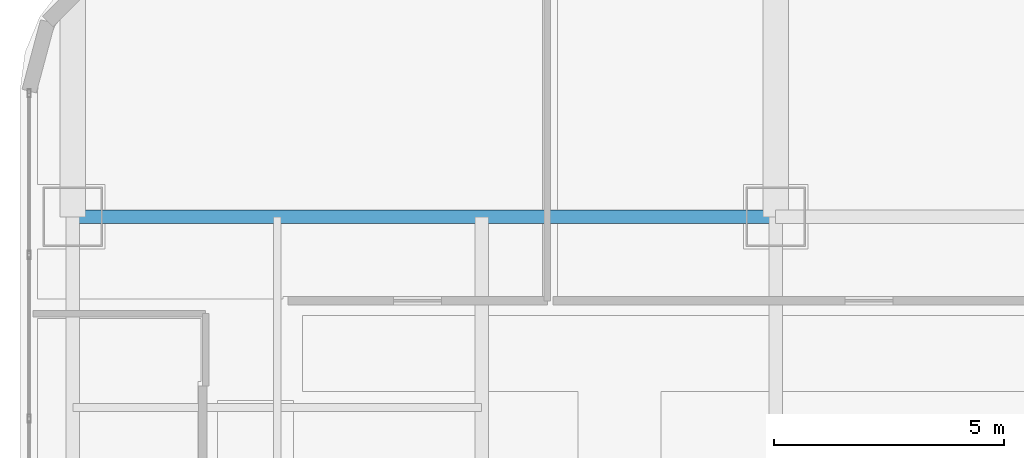
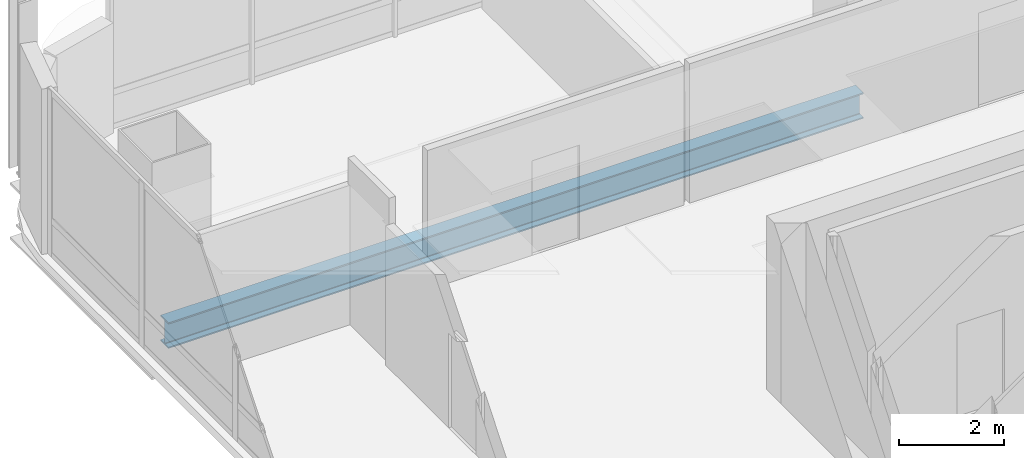
# One storey, part 21 of 44: 1 beam.
"""IFC4 building model written with IfcOpenShell, lengths in metres."""

import ifcopenshell
import ifcopenshell.guid

model = None  # the IFC model being written
_history = None  # IfcOwnerHistory: only IFC2X3 demands one
_inside = {}  # id of a spatial element -> (the spatial element, [elements in it])
_under = {}  # id of a project, library or spatial element -> (it, [spatial elements below it])
_declared = {}  # id of a project -> (the project, [libraries it declares])
_typed = {}  # id of a type object -> (the type object, [elements of that type])
_made_of = {}  # id of a material, layer set ... -> (it, [elements and type objects made of it])


def new_model(schema):
    """Start an empty IFC model of exactly this schema.

    Asked for "IFC4X3", IfcOpenShell would pick the latest addendum, in which some entities
    have other attributes; the version numbers below select the first issue.
    IFC2X3 requires an IfcOwnerHistory on every rooted entity: one is made here for all.
    """
    global model, _history
    if schema == "IFC4X3":
        model = ifcopenshell.file(schema_version=(4, 3, 0, 0))
    else:
        model = ifcopenshell.file(schema=schema)
    _inside.clear()
    _under.clear()
    _declared.clear()
    _typed.clear()
    _made_of.clear()
    _history = None
    if model.schema == "IFC2X3":
        org = make("IfcOrganization", Name="unknown")
        user = make(
            "IfcPersonAndOrganization",
            ThePerson=make("IfcPerson", FamilyName="unknown"),
            TheOrganization=org,
        )
        app = make(
            "IfcApplication",
            ApplicationDeveloper=org,
            Version="unknown",
            ApplicationFullName="unknown",
            ApplicationIdentifier="unknown",
        )
        _history = make(
            "IfcOwnerHistory",
            OwningUser=user,
            OwningApplication=app,
            ChangeAction="ADDED",
            CreationDate=0,
        )
    return model


def make(cls, **values):
    """One entity of the class cls with the attributes given. An attribute that is None is left unset."""
    return model.create_entity(
        cls, **{name: value for name, value in values.items() if value is not None}
    )


def rooted(cls, **values):
    """An entity with a GlobalId (a new one), such as an element, a storey or a relation."""
    return make(cls, GlobalId=ifcopenshell.guid.new(), OwnerHistory=_history, **values)


def si_unit(unit_type, name, prefix=None):
    """IfcSIUnit, for example si_unit("LENGTHUNIT", "METRE", prefix="MILLI")."""
    return make("IfcSIUnit", UnitType=unit_type, Prefix=prefix, Name=name)


def assignment(units):
    """IfcUnitAssignment: the units of a project."""
    return None if units is None else make("IfcUnitAssignment", Units=units)


def point(xyz):
    """IfcCartesianPoint."""
    return None if xyz is None else make("IfcCartesianPoint", Coordinates=xyz)


def direction(xyz):
    """IfcDirection."""
    return None if xyz is None else make("IfcDirection", DirectionRatios=xyz)


def frame(location, z_axis=None, x_axis=None):
    """IfcAxis2Placement3D, a coordinate frame: its origin and axes. An axis left out is left unset."""
    return make(
        "IfcAxis2Placement3D",
        Location=point(location),
        Axis=direction(z_axis),
        RefDirection=direction(x_axis),
    )


def frame_2d(location, x_axis=None):
    """IfcAxis2Placement2D, a coordinate frame in the plane: its origin and x axis."""
    return make(
        "IfcAxis2Placement2D", Location=point(location), RefDirection=direction(x_axis)
    )


def origin():
    """The frame at (0, 0, 0) with its axes left unset."""
    return frame((0.0, 0.0, 0.0))


def origin_2d():
    """The frame at (0, 0) in the plane with its x axis left unset."""
    return frame_2d((0.0, 0.0))


def place(relative_to, where):
    """IfcLocalPlacement: puts the frame where relative to a parent placement (None: the world)."""
    return make(
        "IfcLocalPlacement", PlacementRelTo=relative_to, RelativePlacement=where
    )


def context(
    kind, dimensions, precision=None, world=None, true_north=None, identifier=None
):
    """IfcGeometricRepresentationContext, for example the 3D "Model" context."""
    return make(
        "IfcGeometricRepresentationContext",
        ContextIdentifier=identifier,
        ContextType=kind,
        CoordinateSpaceDimension=dimensions,
        Precision=precision,
        WorldCoordinateSystem=world,
        TrueNorth=true_north,
    )


def subcontext(parent, identifier, kind, view, scale=None):
    """IfcGeometricRepresentationSubContext, for example "Body" below "Model"."""
    return make(
        "IfcGeometricRepresentationSubContext",
        ContextIdentifier=identifier,
        ContextType=kind,
        ParentContext=parent,
        TargetScale=scale,
        TargetView=view,
    )


def project(units=None, contexts=None):
    """IfcProject with its units and contexts."""
    return rooted(
        "IfcProject",
        Name="project",
        RepresentationContexts=contexts,
        UnitsInContext=assignment(units),
    )


def spatial(cls, under=None, at=None, **own):
    """A site, building, storey or space (cls), placed at a placement, below another one or the project."""
    s = rooted(cls, ObjectPlacement=at, **own)
    if under is not None:
        _under.setdefault(under.id(), (under, []))[1].append(s)
    return s


def profile(cls, at=None, kind="AREA", **sizes):
    """A parametric profile (cls). Its sizes go by their IFC names, for example OverallWidth=200.0."""
    return make(cls, ProfileType=kind, Position=at, **sizes)


def i_section(**sizes):
    """IfcIShapeProfileDef."""
    return profile("IfcIShapeProfileDef", **sizes)


def extrude(swept, where, along, depth):
    """IfcExtrudedAreaSolid: the profile swept, set in the frame where, extruded along a direction by depth."""
    return make(
        "IfcExtrudedAreaSolid",
        SweptArea=swept,
        Position=where,
        ExtrudedDirection=direction(along),
        Depth=depth,
    )


def shape(context_of_items, identifier, shape_type, items):
    """IfcShapeRepresentation: the items that make up one representation, for example the "Body"."""
    return make(
        "IfcShapeRepresentation",
        ContextOfItems=context_of_items,
        RepresentationIdentifier=identifier,
        RepresentationType=shape_type,
        Items=items,
    )


def material(Name=None, Category=None):
    """IfcMaterial."""
    return make("IfcMaterial", Name=Name, Category=Category)


def material_profile(
    of_material, cross_section, Name=None, Category=None, Priority=None
):
    """IfcMaterialProfile: a cross section and its material."""
    return make(
        "IfcMaterialProfile",
        Name=Name,
        Material=of_material,
        Profile=cross_section,
        Priority=Priority,
        Category=Category,
    )


def profile_set(profiles, Name=None, composite=None):
    """IfcMaterialProfileSet."""
    return make(
        "IfcMaterialProfileSet",
        Name=Name,
        MaterialProfiles=profiles,
        CompositeProfile=composite,
    )


def made_of(thing, what):
    """Note that an element or type object is made of a material, layer set ...; save() writes the relation."""
    if what is not None:
        _made_of.setdefault(what.id(), (what, []))[1].append(thing)
    return thing


def type_object(cls, material=None, **own):
    """A type object (cls), such as IfcWallType, which elements share."""
    return made_of(rooted(cls, **own), material)


def element(
    cls,
    number,
    at=None,
    inside=None,
    cuts=None,
    type_object=None,
    material=None,
    context=None,
    identifier="Body",
    shape_type=None,
    held_by="IfcProductDefinitionShape",
    body=None,
    shapes=None,
    **own,
):
    """One element of the class cls, such as IfcWall. Its Tag is "e" and its number.

    at: its placement. inside: the storey or other place that contains it. cuts: it is an
    opening in that element (IfcRelVoidsElement). A single representation is given by context,
    identifier, shape_type and body (its items); several are given by shapes. held_by: the class
    of the entity that holds the representations. save() writes the other relations.
    """
    e = rooted(cls, Tag="e%d" % number, ObjectPlacement=at, **own)
    if body is not None:
        shapes = [shape(context, identifier, shape_type, body)]
    if shapes is not None:
        e.Representation = make(held_by, Representations=shapes)
    if inside is not None:
        _inside.setdefault(inside.id(), (inside, []))[1].append(e)
    if cuts is not None:
        rooted(
            "IfcRelVoidsElement", RelatingBuildingElement=cuts, RelatedOpeningElement=e
        )
    if type_object is not None:
        _typed.setdefault(type_object.id(), (type_object, []))[1].append(e)
    return made_of(e, material)


def aggregate(whole, parts):
    """IfcRelAggregates: a whole, such as a stair, and the parts it consists of."""
    return rooted("IfcRelAggregates", RelatingObject=whole, RelatedObjects=parts)


def save(model, path):
    """Write the relations noted so far, then the file.

    IfcRelAggregates (storeys below a building ...), IfcRelContainedInSpatialStructure (elements
    in a storey), IfcRelDefinesByType, IfcRelAssociatesMaterial and IfcRelDeclares: one each for
    every whole, place, type object, material and project.
    """
    for whole, parts in _under.values():
        aggregate(whole, parts)
    for where, things in _inside.values():
        rooted(
            "IfcRelContainedInSpatialStructure",
            RelatedElements=things,
            RelatingStructure=where,
        )
    for kind, things in _typed.values():
        rooted("IfcRelDefinesByType", RelatedObjects=things, RelatingType=kind)
    for what, things in _made_of.values():
        rooted("IfcRelAssociatesMaterial", RelatedObjects=things, RelatingMaterial=what)
    for by, libraries in _declared.values():
        rooted("IfcRelDeclares", RelatingContext=by, RelatedDefinitions=libraries)
    model.write(path)


model = new_model("IFC4")

# Units and contexts
model_context = context("Model", 3, precision=1e-05, world=origin(), true_north=direction((0.0, 1.0)))
body_context = subcontext(model_context, "Body", "Model", "MODEL_VIEW")
ifc_project = project(units=[si_unit("LENGTHUNIT", "METRE"), si_unit("AREAUNIT", "SQUARE_METRE"), si_unit("VOLUMEUNIT", "CUBIC_METRE"), si_unit("PLANEANGLEUNIT", "RADIAN"), si_unit("MASSUNIT", "GRAM", prefix="KILO")], contexts=[model_context])

# Site, building, storey
site_placement = place(None, origin())
site = spatial("IfcSite", under=ifc_project, at=site_placement, CompositionType="ELEMENT")
building_placement = place(site_placement, origin())
building = spatial("IfcBuilding", under=site, at=building_placement, Name="Punatoya Terracotta Tower", CompositionType="ELEMENT")
storey_placement = place(building_placement, frame((0.0, 0.0, 267.60009765625)))
storey = spatial("IfcBuildingStorey", under=building, at=storey_placement, Name="L63", CompositionType="ELEMENT", Elevation=267.60009765625)

# Beam
ifc_material = material(Name="Steel S355", Category="steel")
ifc_material_profile = material_profile(ifc_material, i_section(OverallWidth=0.300048828125, OverallDepth=0.60009765625, WebThickness=0.015380859375, FlangeThickness=0.030029296875, FilletRadius=0.01806640625, at=origin_2d()))
ifc_profile_set = profile_set([ifc_material_profile], Name="Steel S355")
beam_type = type_object("IfcBeamType", Name="BM-PRI-600", PredefinedType="BEAM", material=ifc_profile_set)
beam_placement = place(storey_placement, frame((-19.10009765625, 17.5, -0.5), z_axis=(1.0, 0.0, 0.0), x_axis=(0.0, 1.0, 0.0)))
element("IfcBeam", 1, at=beam_placement, inside=storey, type_object=beam_type, Name="BM-L63-RG-N1", PredefinedType="BEAM", context=body_context, shape_type="SweptSolid", body=[
    extrude(i_section(OverallWidth=0.300048828125, OverallDepth=0.60009765625, WebThickness=0.015380859375, FlangeThickness=0.030029296875, FilletRadius=0.01806640625, at=origin_2d()), origin(), (0.0, 0.0, 1.0), 15.300048828125),
])

save(model, "model.ifc")
